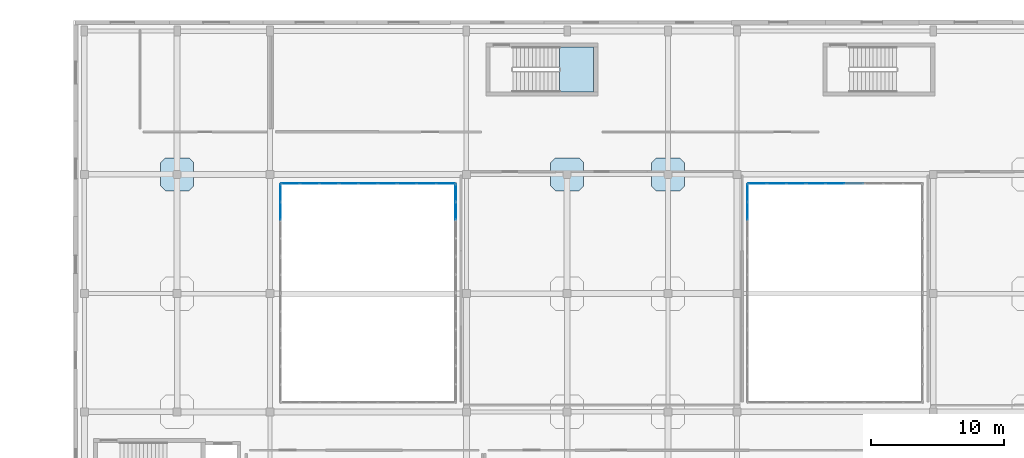
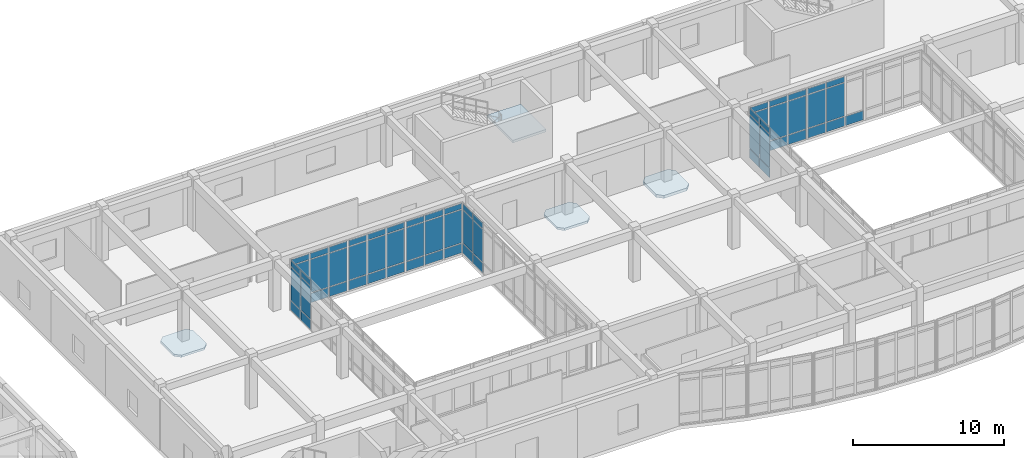
# One storey, part 114 of 142: 61 plates, 4 slabs, 9 elements without a shape of their own.
"""IFC4 building model written with IfcOpenShell, lengths in metres."""

from ifc_helpers import new_model, si_unit, direction, frame, origin, origin_2d, place, context, subcontext, project, spatial, polyline, rectangle, outline, extrude, material, layer, layer_set, type_object, element, aggregate, save


model = new_model("IFC4")

# Units and contexts
model_context = context("Model", 3, precision=1e-05, world=origin(), true_north=direction((0.0, 1.0)))
body_context = subcontext(model_context, "Body", "Model", "MODEL_VIEW")
ifc_project = project(units=[si_unit("LENGTHUNIT", "METRE"), si_unit("AREAUNIT", "SQUARE_METRE"), si_unit("VOLUMEUNIT", "CUBIC_METRE"), si_unit("PLANEANGLEUNIT", "RADIAN"), si_unit("MASSUNIT", "GRAM", prefix="KILO")], contexts=[model_context])

# Site, building, storey
site_placement = place(None, origin())
site = spatial("IfcSite", under=ifc_project, at=site_placement, CompositionType="ELEMENT")
building_placement = place(site_placement, origin())
building = spatial("IfcBuilding", under=site, at=building_placement, Name="Valcora Specialist Clinic", CompositionType="ELEMENT")
storey_placement = place(building_placement, frame((0.0, 0.0, 5.10009765625)))
storey = spatial("IfcBuildingStorey", under=building, at=storey_placement, Name="L01", CompositionType="ELEMENT", Elevation=5.10009765625)

# Curtain wall, plates
ifc_material_1 = material(Name="Anodized Bronze Aluminium 6063-T6", Category="aluminium")
ifc_layer_1 = layer(ifc_material_1, 0.175048828125)
ifc_layer_set_1 = layer_set([ifc_layer_1], Name="Anodized Bronze Aluminium 6063-T6")
curtain_wall_type = type_object("IfcCurtainWallType", Name="TY-CW-CRT15", PredefinedType="NOTDEFINED", material=ifc_layer_set_1)
curtain_wall_1_placement = place(storey_placement, origin())
curtain_wall_1 = element("IfcCurtainWall", 1, at=curtain_wall_1_placement, inside=storey, type_object=curtain_wall_type, Name="Curtain wall CW-L01-066", PredefinedType="NOTDEFINED")
ifc_material_2 = material(Name="Low-E Laminated Insulating Glass", Category="glass")
ifc_layer_2 = layer(ifc_material_2, 0.028076171875)
ifc_layer_set_2 = layer_set([ifc_layer_2], Name="Low-E Laminated Insulating Glass")
plate_type_1 = type_object("IfcPlateType", Name="TY-CWP-GLZ28", PredefinedType="CURTAIN_PANEL", material=ifc_layer_set_2)
plate_1_placement = place(storey_placement, frame((90.0, 96.4375, 0.88232421875), z_axis=(0.0, 0.0, 1.0), x_axis=(0.0, 1.0, 0.0)))
plate_1 = element("IfcPlate", 2, at=plate_1_placement, type_object=plate_type_1, Name="CW-CRT-15 panel 3.2", PredefinedType="CURTAIN_PANEL", context=body_context, shape_type="SweptSolid", body=[
    extrude(rectangle(XDim=1.31005859375, YDim=0.028076171875, at=origin_2d()), origin(), (0.0, 0.0, 1.0), 2.679931640625),
])
plate_2_placement = place(storey_placement, frame((90.0, 96.4375, 3.62744140625), z_axis=(0.0, 0.0, 1.0), x_axis=(0.0, 1.0, 0.0)))
plate_2 = element("IfcPlate", 3, at=plate_2_placement, type_object=plate_type_1, Name="CW-CRT-15 panel 3.3", PredefinedType="CURTAIN_PANEL", context=body_context, shape_type="SweptSolid", body=[
    extrude(rectangle(XDim=1.31005859375, YDim=0.028076171875, at=origin_2d()), origin(), (0.0, 0.0, 1.0), 0.452392578125),
])
plate_3_placement = place(storey_placement, frame((90.0, 97.796142578125, 0.88232421875), z_axis=(0.0, 0.0, 1.0), x_axis=(0.0, 1.0, 0.0)))
plate_3 = element("IfcPlate", 4, at=plate_3_placement, type_object=plate_type_1, Name="CW-CRT-15 panel 4.2", PredefinedType="CURTAIN_PANEL", context=body_context, shape_type="SweptSolid", body=[
    extrude(rectangle(XDim=1.277587890625, YDim=0.028076171875, at=origin_2d()), origin(), (0.0, 0.0, 1.0), 2.679931640625),
])
plate_4_placement = place(storey_placement, frame((90.0, 97.796142578125, 3.62744140625), z_axis=(0.0, 0.0, 1.0), x_axis=(0.0, 1.0, 0.0)))
plate_4 = element("IfcPlate", 5, at=plate_4_placement, type_object=plate_type_1, Name="CW-CRT-15 panel 4.3", PredefinedType="CURTAIN_PANEL", context=body_context, shape_type="SweptSolid", body=[
    extrude(rectangle(XDim=1.277587890625, YDim=0.028076171875, at=origin_2d()), origin(), (0.0, 0.0, 1.0), 0.452392578125),
])

curtain_wall_2_placement = place(storey_placement, origin())
curtain_wall_2 = element("IfcCurtainWall", 6, at=curtain_wall_2_placement, inside=storey, type_object=curtain_wall_type, Name="Curtain wall CW-L01-068", PredefinedType="NOTDEFINED")
plate_5_placement = place(storey_placement, frame((84.850341796875, 98.5, 0.88232421875), z_axis=(0.0, 0.0, 1.0), x_axis=(-1.0, 0.0, 0.0)))
plate_5 = element("IfcPlate", 7, at=plate_5_placement, type_object=plate_type_1, Name="CW-CRT-15 panel 1.2", PredefinedType="CURTAIN_PANEL", context=body_context, shape_type="SweptSolid", body=[
    extrude(rectangle(XDim=1.369140625, YDim=0.028076171875, at=origin_2d()), origin(), (0.0, 0.0, 1.0), 2.679931640625),
])
plate_6_placement = place(storey_placement, frame((84.850341796875, 98.5, 3.62744140625), z_axis=(0.0, 0.0, 1.0), x_axis=(-1.0, 0.0, 0.0)))
plate_6 = element("IfcPlate", 8, at=plate_6_placement, type_object=plate_type_1, Name="CW-CRT-15 panel 1.3", PredefinedType="CURTAIN_PANEL", context=body_context, shape_type="SweptSolid", body=[
    extrude(rectangle(XDim=1.369140625, YDim=0.028076171875, at=origin_2d()), origin(), (0.0, 0.0, 1.0), 0.452392578125),
])
plate_7_placement = place(storey_placement, frame((83.39990234375, 98.5, 0.88232421875), z_axis=(0.0, 0.0, 1.0), x_axis=(-1.0, 0.0, 0.0)))
plate_7 = element("IfcPlate", 9, at=plate_7_placement, type_object=plate_type_1, Name="CW-CRT-15 panel 2.2", PredefinedType="CURTAIN_PANEL", context=body_context, shape_type="SweptSolid", body=[
    extrude(rectangle(XDim=1.401611328125, YDim=0.028076171875, at=origin_2d()), origin(), (0.0, 0.0, 1.0), 2.679931640625),
])
plate_8_placement = place(storey_placement, frame((83.39990234375, 98.5, 3.62744140625), z_axis=(0.0, 0.0, 1.0), x_axis=(-1.0, 0.0, 0.0)))
plate_8 = element("IfcPlate", 10, at=plate_8_placement, type_object=plate_type_1, Name="CW-CRT-15 panel 2.3", PredefinedType="CURTAIN_PANEL", context=body_context, shape_type="SweptSolid", body=[
    extrude(rectangle(XDim=1.401611328125, YDim=0.028076171875, at=origin_2d()), origin(), (0.0, 0.0, 1.0), 0.452392578125),
])
plate_9_placement = place(storey_placement, frame((81.949462890625, 98.5, 0.88232421875), z_axis=(0.0, 0.0, 1.0), x_axis=(-1.0, 0.0, 0.0)))
plate_9 = element("IfcPlate", 11, at=plate_9_placement, type_object=plate_type_1, Name="CW-CRT-15 panel 3.2", PredefinedType="CURTAIN_PANEL", context=body_context, shape_type="SweptSolid", body=[
    extrude(rectangle(XDim=1.369140625, YDim=0.028076171875, at=origin_2d()), origin(), (0.0, 0.0, 1.0), 2.679931640625),
])
plate_10_placement = place(storey_placement, frame((81.949462890625, 98.5, 3.62744140625), z_axis=(0.0, 0.0, 1.0), x_axis=(-1.0, 0.0, 0.0)))
plate_10 = element("IfcPlate", 12, at=plate_10_placement, type_object=plate_type_1, Name="CW-CRT-15 panel 3.3", PredefinedType="CURTAIN_PANEL", context=body_context, shape_type="SweptSolid", body=[
    extrude(rectangle(XDim=1.369140625, YDim=0.028076171875, at=origin_2d()), origin(), (0.0, 0.0, 1.0), 0.452392578125),
])

curtain_wall_3_placement = place(storey_placement, origin())
curtain_wall_3 = element("IfcCurtainWall", 13, at=curtain_wall_3_placement, inside=storey, type_object=curtain_wall_type, Name="Curtain wall CW-L01-070", PredefinedType="NOTDEFINED")
plate_11_placement = place(storey_placement, frame((76.800048828125, 97.796142578125, 0.88232421875), z_axis=(0.0, 0.0, 1.0), x_axis=(0.0, -1.0, 0.0)))
plate_11 = element("IfcPlate", 14, at=plate_11_placement, type_object=plate_type_1, Name="CW-CRT-15 panel 1.2", PredefinedType="CURTAIN_PANEL", context=body_context, shape_type="SweptSolid", body=[
    extrude(rectangle(XDim=1.277587890625, YDim=0.028076171875, at=origin_2d()), origin(), (0.0, 0.0, 1.0), 2.679931640625),
])
plate_12_placement = place(storey_placement, frame((76.800048828125, 97.796142578125, 3.62744140625), z_axis=(0.0, 0.0, 1.0), x_axis=(0.0, -1.0, 0.0)))
plate_12 = element("IfcPlate", 15, at=plate_12_placement, type_object=plate_type_1, Name="CW-CRT-15 panel 1.3", PredefinedType="CURTAIN_PANEL", context=body_context, shape_type="SweptSolid", body=[
    extrude(rectangle(XDim=1.277587890625, YDim=0.028076171875, at=origin_2d()), origin(), (0.0, 0.0, 1.0), 0.452392578125),
])
plate_13_placement = place(storey_placement, frame((76.800048828125, 96.4375, 0.88232421875), z_axis=(0.0, 0.0, 1.0), x_axis=(0.0, -1.0, 0.0)))
plate_13 = element("IfcPlate", 16, at=plate_13_placement, type_object=plate_type_1, Name="CW-CRT-15 panel 2.2", PredefinedType="CURTAIN_PANEL", context=body_context, shape_type="SweptSolid", body=[
    extrude(rectangle(XDim=1.31005859375, YDim=0.028076171875, at=origin_2d()), origin(), (0.0, 0.0, 1.0), 2.679931640625),
])
plate_14_placement = place(storey_placement, frame((76.800048828125, 96.4375, 3.62744140625), z_axis=(0.0, 0.0, 1.0), x_axis=(0.0, -1.0, 0.0)))
plate_14 = element("IfcPlate", 17, at=plate_14_placement, type_object=plate_type_1, Name="CW-CRT-15 panel 2.3", PredefinedType="CURTAIN_PANEL", context=body_context, shape_type="SweptSolid", body=[
    extrude(rectangle(XDim=1.31005859375, YDim=0.028076171875, at=origin_2d()), origin(), (0.0, 0.0, 1.0), 0.452392578125),
])

curtain_wall_4_placement = place(storey_placement, origin())
curtain_wall_4 = element("IfcCurtainWall", 18, at=curtain_wall_4_placement, inside=storey, type_object=curtain_wall_type, Name="Curtain wall CW-L01-080", PredefinedType="NOTDEFINED")
plate_15_placement = place(storey_placement, frame((118.60009765625, 98.5, 0.88232421875), z_axis=(0.0, 0.0, 1.0), x_axis=(-1.0, 0.0, 0.0)))
plate_15 = element("IfcPlate", 19, at=plate_15_placement, type_object=plate_type_1, Name="CW-CRT-15 panel 2.2", PredefinedType="CURTAIN_PANEL", context=body_context, shape_type="SweptSolid", body=[
    extrude(rectangle(XDim=1.401611328125, YDim=0.028076171875, at=origin_2d()), origin(), (0.0, 0.0, 1.0), 2.679931640625),
])
plate_16_placement = place(storey_placement, frame((118.60009765625, 98.5, 3.62744140625), z_axis=(0.0, 0.0, 1.0), x_axis=(-1.0, 0.0, 0.0)))
plate_16 = element("IfcPlate", 20, at=plate_16_placement, type_object=plate_type_1, Name="CW-CRT-15 panel 2.3", PredefinedType="CURTAIN_PANEL", context=body_context, shape_type="SweptSolid", body=[
    extrude(rectangle(XDim=1.401611328125, YDim=0.028076171875, at=origin_2d()), origin(), (0.0, 0.0, 1.0), 0.452392578125),
])
plate_17_placement = place(storey_placement, frame((117.149658203125, 98.5, 0.88232421875), z_axis=(0.0, 0.0, 1.0), x_axis=(-1.0, 0.0, 0.0)))
plate_17 = element("IfcPlate", 21, at=plate_17_placement, type_object=plate_type_1, Name="CW-CRT-15 panel 3.2", PredefinedType="CURTAIN_PANEL", context=body_context, shape_type="SweptSolid", body=[
    extrude(rectangle(XDim=1.369140625, YDim=0.028076171875, at=origin_2d()), origin(), (0.0, 0.0, 1.0), 2.679931640625),
])
plate_18_placement = place(storey_placement, frame((117.149658203125, 98.5, 3.62744140625), z_axis=(0.0, 0.0, 1.0), x_axis=(-1.0, 0.0, 0.0)))
plate_18 = element("IfcPlate", 22, at=plate_18_placement, type_object=plate_type_1, Name="CW-CRT-15 panel 3.3", PredefinedType="CURTAIN_PANEL", context=body_context, shape_type="SweptSolid", body=[
    extrude(rectangle(XDim=1.369140625, YDim=0.028076171875, at=origin_2d()), origin(), (0.0, 0.0, 1.0), 0.452392578125),
])

curtain_wall_5_placement = place(storey_placement, origin())
curtain_wall_5 = element("IfcCurtainWall", 23, at=curtain_wall_5_placement, inside=storey, type_object=curtain_wall_type, Name="Curtain wall CW-L01-082", PredefinedType="NOTDEFINED")
plate_19_placement = place(storey_placement, frame((112.0, 97.796142578125, 0.88232421875), z_axis=(0.0, 0.0, 1.0), x_axis=(0.0, -1.0, 0.0)))
plate_19 = element("IfcPlate", 24, at=plate_19_placement, type_object=plate_type_1, Name="CW-CRT-15 panel 1.2", PredefinedType="CURTAIN_PANEL", context=body_context, shape_type="SweptSolid", body=[
    extrude(rectangle(XDim=1.277587890625, YDim=0.028076171875, at=origin_2d()), origin(), (0.0, 0.0, 1.0), 2.679931640625),
])
plate_20_placement = place(storey_placement, frame((112.0, 97.796142578125, 3.62744140625), z_axis=(0.0, 0.0, 1.0), x_axis=(0.0, -1.0, 0.0)))
plate_20 = element("IfcPlate", 25, at=plate_20_placement, type_object=plate_type_1, Name="CW-CRT-15 panel 1.3", PredefinedType="CURTAIN_PANEL", context=body_context, shape_type="SweptSolid", body=[
    extrude(rectangle(XDim=1.277587890625, YDim=0.028076171875, at=origin_2d()), origin(), (0.0, 0.0, 1.0), 0.452392578125),
])
plate_21_placement = place(storey_placement, frame((112.0, 96.4375, 0.88232421875), z_axis=(0.0, 0.0, 1.0), x_axis=(0.0, -1.0, 0.0)))
plate_21 = element("IfcPlate", 26, at=plate_21_placement, type_object=plate_type_1, Name="CW-CRT-15 panel 2.2", PredefinedType="CURTAIN_PANEL", context=body_context, shape_type="SweptSolid", body=[
    extrude(rectangle(XDim=1.31005859375, YDim=0.028076171875, at=origin_2d()), origin(), (0.0, 0.0, 1.0), 2.679931640625),
])
plate_22_placement = place(storey_placement, frame((112.0, 96.4375, 3.62744140625), z_axis=(0.0, 0.0, 1.0), x_axis=(0.0, -1.0, 0.0)))
plate_22 = element("IfcPlate", 27, at=plate_22_placement, type_object=plate_type_1, Name="CW-CRT-15 panel 2.3", PredefinedType="CURTAIN_PANEL", context=body_context, shape_type="SweptSolid", body=[
    extrude(rectangle(XDim=1.31005859375, YDim=0.028076171875, at=origin_2d()), origin(), (0.0, 0.0, 1.0), 0.452392578125),
])

curtain_wall_6_placement = place(storey_placement, origin())
curtain_wall_6 = element("IfcCurtainWall", 28, at=curtain_wall_6_placement, inside=storey, type_object=curtain_wall_type, Name="Curtain wall CW-L01-067", PredefinedType="NOTDEFINED")
ifc_layer_3 = layer(ifc_material_2, 0.033935546875)
ifc_layer_set_3 = layer_set([ifc_layer_3], Name="Low-E Laminated Insulating Glass")
plate_type_2 = type_object("IfcPlateType", Name="TY-CWP-GLZ34", PredefinedType="CURTAIN_PANEL", material=ifc_layer_set_3)
plate_23_placement = place(storey_placement, frame((89.25048828125, 98.5, 0.88232421875), z_axis=(0.0, 0.0, 1.0), x_axis=(-1.0, 0.0, 0.0)))
plate_23 = element("IfcPlate", 29, at=plate_23_placement, type_object=plate_type_2, Name="CW-CRT-15 panel 1.2", PredefinedType="CURTAIN_PANEL", context=body_context, shape_type="SweptSolid", body=[
    extrude(rectangle(XDim=1.369140625, YDim=0.033935546875, at=origin_2d()), origin(), (0.0, 0.0, 1.0), 2.679931640625),
])
plate_24_placement = place(storey_placement, frame((89.25048828125, 98.5, 3.62744140625), z_axis=(0.0, 0.0, 1.0), x_axis=(-1.0, 0.0, 0.0)))
plate_24 = element("IfcPlate", 30, at=plate_24_placement, type_object=plate_type_2, Name="CW-CRT-15 panel 1.3", PredefinedType="CURTAIN_PANEL", context=body_context, shape_type="SweptSolid", body=[
    extrude(rectangle(XDim=1.369140625, YDim=0.033935546875, at=origin_2d()), origin(), (0.0, 0.0, 1.0), 0.452392578125),
])
plate_25_placement = place(storey_placement, frame((87.800048828125, 98.5, 0.88232421875), z_axis=(0.0, 0.0, 1.0), x_axis=(-1.0, 0.0, 0.0)))
plate_25 = element("IfcPlate", 31, at=plate_25_placement, type_object=plate_type_2, Name="CW-CRT-15 panel 2.2", PredefinedType="CURTAIN_PANEL", context=body_context, shape_type="SweptSolid", body=[
    extrude(rectangle(XDim=1.401611328125, YDim=0.033935546875, at=origin_2d()), origin(), (0.0, 0.0, 1.0), 2.679931640625),
])
plate_26_placement = place(storey_placement, frame((87.800048828125, 98.5, 3.62744140625), z_axis=(0.0, 0.0, 1.0), x_axis=(-1.0, 0.0, 0.0)))
plate_26 = element("IfcPlate", 32, at=plate_26_placement, type_object=plate_type_2, Name="CW-CRT-15 panel 2.3", PredefinedType="CURTAIN_PANEL", context=body_context, shape_type="SweptSolid", body=[
    extrude(rectangle(XDim=1.401611328125, YDim=0.033935546875, at=origin_2d()), origin(), (0.0, 0.0, 1.0), 0.452392578125),
])
plate_27_placement = place(storey_placement, frame((86.349609375, 98.5, 0.88232421875), z_axis=(0.0, 0.0, 1.0), x_axis=(-1.0, 0.0, 0.0)))
plate_27 = element("IfcPlate", 33, at=plate_27_placement, type_object=plate_type_2, Name="CW-CRT-15 panel 3.2", PredefinedType="CURTAIN_PANEL", context=body_context, shape_type="SweptSolid", body=[
    extrude(rectangle(XDim=1.369140625, YDim=0.033935546875, at=origin_2d()), origin(), (0.0, 0.0, 1.0), 2.679931640625),
])
plate_28_placement = place(storey_placement, frame((86.349609375, 98.5, 3.62744140625), z_axis=(0.0, 0.0, 1.0), x_axis=(-1.0, 0.0, 0.0)))
plate_28 = element("IfcPlate", 34, at=plate_28_placement, type_object=plate_type_2, Name="CW-CRT-15 panel 3.3", PredefinedType="CURTAIN_PANEL", context=body_context, shape_type="SweptSolid", body=[
    extrude(rectangle(XDim=1.369140625, YDim=0.033935546875, at=origin_2d()), origin(), (0.0, 0.0, 1.0), 0.452392578125),
])

curtain_wall_7_placement = place(storey_placement, origin())
curtain_wall_7 = element("IfcCurtainWall", 35, at=curtain_wall_7_placement, inside=storey, type_object=curtain_wall_type, Name="Curtain wall CW-L01-069", PredefinedType="NOTDEFINED")
plate_29_placement = place(storey_placement, frame((80.450439453125, 98.5, 0.88232421875), z_axis=(0.0, 0.0, 1.0), x_axis=(-1.0, 0.0, 0.0)))
plate_29 = element("IfcPlate", 36, at=plate_29_placement, type_object=plate_type_2, Name="CW-CRT-15 panel 1.2", PredefinedType="CURTAIN_PANEL", context=body_context, shape_type="SweptSolid", body=[
    extrude(rectangle(XDim=1.369140625, YDim=0.033935546875, at=origin_2d()), origin(), (0.0, 0.0, 1.0), 2.679931640625),
])
plate_30_placement = place(storey_placement, frame((80.450439453125, 98.5, 3.62744140625), z_axis=(0.0, 0.0, 1.0), x_axis=(-1.0, 0.0, 0.0)))
plate_30 = element("IfcPlate", 37, at=plate_30_placement, type_object=plate_type_2, Name="CW-CRT-15 panel 1.3", PredefinedType="CURTAIN_PANEL", context=body_context, shape_type="SweptSolid", body=[
    extrude(rectangle(XDim=1.369140625, YDim=0.033935546875, at=origin_2d()), origin(), (0.0, 0.0, 1.0), 0.452392578125),
])
plate_31_placement = place(storey_placement, frame((79.0, 98.5, 0.88232421875), z_axis=(0.0, 0.0, 1.0), x_axis=(-1.0, 0.0, 0.0)))
plate_31 = element("IfcPlate", 38, at=plate_31_placement, type_object=plate_type_2, Name="CW-CRT-15 panel 2.2", PredefinedType="CURTAIN_PANEL", context=body_context, shape_type="SweptSolid", body=[
    extrude(rectangle(XDim=1.401611328125, YDim=0.033935546875, at=origin_2d()), origin(), (0.0, 0.0, 1.0), 2.679931640625),
])
plate_32_placement = place(storey_placement, frame((79.0, 98.5, 3.62744140625), z_axis=(0.0, 0.0, 1.0), x_axis=(-1.0, 0.0, 0.0)))
plate_32 = element("IfcPlate", 39, at=plate_32_placement, type_object=plate_type_2, Name="CW-CRT-15 panel 2.3", PredefinedType="CURTAIN_PANEL", context=body_context, shape_type="SweptSolid", body=[
    extrude(rectangle(XDim=1.401611328125, YDim=0.033935546875, at=origin_2d()), origin(), (0.0, 0.0, 1.0), 0.452392578125),
])
plate_33_placement = place(storey_placement, frame((77.549560546875, 98.5, 0.88232421875), z_axis=(0.0, 0.0, 1.0), x_axis=(-1.0, 0.0, 0.0)))
plate_33 = element("IfcPlate", 40, at=plate_33_placement, type_object=plate_type_2, Name="CW-CRT-15 panel 3.2", PredefinedType="CURTAIN_PANEL", context=body_context, shape_type="SweptSolid", body=[
    extrude(rectangle(XDim=1.369140625, YDim=0.033935546875, at=origin_2d()), origin(), (0.0, 0.0, 1.0), 2.679931640625),
])
plate_34_placement = place(storey_placement, frame((77.549560546875, 98.5, 3.62744140625), z_axis=(0.0, 0.0, 1.0), x_axis=(-1.0, 0.0, 0.0)))
plate_34 = element("IfcPlate", 41, at=plate_34_placement, type_object=plate_type_2, Name="CW-CRT-15 panel 3.3", PredefinedType="CURTAIN_PANEL", context=body_context, shape_type="SweptSolid", body=[
    extrude(rectangle(XDim=1.369140625, YDim=0.033935546875, at=origin_2d()), origin(), (0.0, 0.0, 1.0), 0.452392578125),
])

curtain_wall_8_placement = place(storey_placement, origin())
curtain_wall_8 = element("IfcCurtainWall", 42, at=curtain_wall_8_placement, inside=storey, type_object=curtain_wall_type, Name="Curtain wall CW-L01-081", PredefinedType="NOTDEFINED")
plate_35_placement = place(storey_placement, frame((115.650390625, 98.5, 0.88232421875), z_axis=(0.0, 0.0, 1.0), x_axis=(-1.0, 0.0, 0.0)))
plate_35 = element("IfcPlate", 43, at=plate_35_placement, type_object=plate_type_2, Name="CW-CRT-15 panel 1.2", PredefinedType="CURTAIN_PANEL", context=body_context, shape_type="SweptSolid", body=[
    extrude(rectangle(XDim=1.369140625, YDim=0.033935546875, at=origin_2d()), origin(), (0.0, 0.0, 1.0), 2.679931640625),
])
plate_36_placement = place(storey_placement, frame((115.650390625, 98.5, 3.62744140625), z_axis=(0.0, 0.0, 1.0), x_axis=(-1.0, 0.0, 0.0)))
plate_36 = element("IfcPlate", 44, at=plate_36_placement, type_object=plate_type_2, Name="CW-CRT-15 panel 1.3", PredefinedType="CURTAIN_PANEL", context=body_context, shape_type="SweptSolid", body=[
    extrude(rectangle(XDim=1.369140625, YDim=0.033935546875, at=origin_2d()), origin(), (0.0, 0.0, 1.0), 0.452392578125),
])
plate_37_placement = place(storey_placement, frame((114.199951171875, 98.5, 0.88232421875), z_axis=(0.0, 0.0, 1.0), x_axis=(-1.0, 0.0, 0.0)))
plate_37 = element("IfcPlate", 45, at=plate_37_placement, type_object=plate_type_2, Name="CW-CRT-15 panel 2.2", PredefinedType="CURTAIN_PANEL", context=body_context, shape_type="SweptSolid", body=[
    extrude(rectangle(XDim=1.401611328125, YDim=0.033935546875, at=origin_2d()), origin(), (0.0, 0.0, 1.0), 2.679931640625),
])
plate_38_placement = place(storey_placement, frame((114.199951171875, 98.5, 3.62744140625), z_axis=(0.0, 0.0, 1.0), x_axis=(-1.0, 0.0, 0.0)))
plate_38 = element("IfcPlate", 46, at=plate_38_placement, type_object=plate_type_2, Name="CW-CRT-15 panel 2.3", PredefinedType="CURTAIN_PANEL", context=body_context, shape_type="SweptSolid", body=[
    extrude(rectangle(XDim=1.401611328125, YDim=0.033935546875, at=origin_2d()), origin(), (0.0, 0.0, 1.0), 0.452392578125),
])
plate_39_placement = place(storey_placement, frame((112.74951171875, 98.5, 0.88232421875), z_axis=(0.0, 0.0, 1.0), x_axis=(-1.0, 0.0, 0.0)))
plate_39 = element("IfcPlate", 47, at=plate_39_placement, type_object=plate_type_2, Name="CW-CRT-15 panel 3.2", PredefinedType="CURTAIN_PANEL", context=body_context, shape_type="SweptSolid", body=[
    extrude(rectangle(XDim=1.369140625, YDim=0.033935546875, at=origin_2d()), origin(), (0.0, 0.0, 1.0), 2.679931640625),
])
plate_40_placement = place(storey_placement, frame((112.74951171875, 98.5, 3.62744140625), z_axis=(0.0, 0.0, 1.0), x_axis=(-1.0, 0.0, 0.0)))
plate_40 = element("IfcPlate", 48, at=plate_40_placement, type_object=plate_type_2, Name="CW-CRT-15 panel 3.3", PredefinedType="CURTAIN_PANEL", context=body_context, shape_type="SweptSolid", body=[
    extrude(rectangle(XDim=1.369140625, YDim=0.033935546875, at=origin_2d()), origin(), (0.0, 0.0, 1.0), 0.452392578125),
])

# Plate
ifc_material_3 = material(Name="Insulated Spandrel Panel")
ifc_layer_4 = layer(ifc_material_3, 0.044921875)
ifc_layer_set_4 = layer_set([ifc_layer_4], Name="Insulated Spandrel Panel")
plate_type_3 = type_object("IfcPlateType", Name="TY-CWP-SPN45", PredefinedType="SHEET", material=ifc_layer_set_4)
plate_41_placement = place(storey_placement, frame((90.0, 96.4375, 0.06494140625), z_axis=(0.0, 0.0, 1.0), x_axis=(0.0, 1.0, 0.0)))
plate_41 = element("IfcPlate", 49, at=plate_41_placement, type_object=plate_type_3, Name="CW-CRT-15 panel 3.1", PredefinedType="SHEET", context=body_context, shape_type="SweptSolid", body=[
    extrude(rectangle(XDim=1.31005859375, YDim=0.044921875, at=origin_2d()), origin(), (0.0, 0.0, 1.0), 0.75244140625),
])

plate_42_placement = place(storey_placement, frame((90.0, 97.796142578125, 0.06494140625), z_axis=(0.0, 0.0, 1.0), x_axis=(0.0, 1.0, 0.0)))
plate_42 = element("IfcPlate", 50, at=plate_42_placement, type_object=plate_type_3, Name="CW-CRT-15 panel 4.1", PredefinedType="SHEET", context=body_context, shape_type="SweptSolid", body=[
    extrude(rectangle(XDim=1.277587890625, YDim=0.044921875, at=origin_2d()), origin(), (0.0, 0.0, 1.0), 0.75244140625),
])

aggregate(curtain_wall_1, [plate_41, plate_1, plate_2, plate_42, plate_3, plate_4])

plate_43_placement = place(storey_placement, frame((89.25048828125, 98.5, 0.06494140625), z_axis=(0.0, 0.0, 1.0), x_axis=(-1.0, 0.0, 0.0)))
plate_43 = element("IfcPlate", 51, at=plate_43_placement, type_object=plate_type_3, Name="CW-CRT-15 panel 1.1", PredefinedType="SHEET", context=body_context, shape_type="SweptSolid", body=[
    extrude(rectangle(XDim=1.369140625, YDim=0.044921875, at=origin_2d()), origin(), (0.0, 0.0, 1.0), 0.75244140625),
])

plate_44_placement = place(storey_placement, frame((87.800048828125, 98.5, 0.06494140625), z_axis=(0.0, 0.0, 1.0), x_axis=(-1.0, 0.0, 0.0)))
plate_44 = element("IfcPlate", 52, at=plate_44_placement, type_object=plate_type_3, Name="CW-CRT-15 panel 2.1", PredefinedType="SHEET", context=body_context, shape_type="SweptSolid", body=[
    extrude(rectangle(XDim=1.401611328125, YDim=0.044921875, at=origin_2d()), origin(), (0.0, 0.0, 1.0), 0.75244140625),
])

plate_45_placement = place(storey_placement, frame((86.349609375, 98.5, 0.06494140625), z_axis=(0.0, 0.0, 1.0), x_axis=(-1.0, 0.0, 0.0)))
plate_45 = element("IfcPlate", 53, at=plate_45_placement, type_object=plate_type_3, Name="CW-CRT-15 panel 3.1", PredefinedType="SHEET", context=body_context, shape_type="SweptSolid", body=[
    extrude(rectangle(XDim=1.369140625, YDim=0.044921875, at=origin_2d()), origin(), (0.0, 0.0, 1.0), 0.75244140625),
])

aggregate(curtain_wall_6, [plate_43, plate_23, plate_24, plate_44, plate_25, plate_26, plate_45, plate_27, plate_28])

plate_46_placement = place(storey_placement, frame((84.850341796875, 98.5, 0.06494140625), z_axis=(0.0, 0.0, 1.0), x_axis=(-1.0, 0.0, 0.0)))
plate_46 = element("IfcPlate", 54, at=plate_46_placement, type_object=plate_type_3, Name="CW-CRT-15 panel 1.1", PredefinedType="SHEET", context=body_context, shape_type="SweptSolid", body=[
    extrude(rectangle(XDim=1.369140625, YDim=0.044921875, at=origin_2d()), origin(), (0.0, 0.0, 1.0), 0.75244140625),
])

plate_47_placement = place(storey_placement, frame((83.39990234375, 98.5, 0.06494140625), z_axis=(0.0, 0.0, 1.0), x_axis=(-1.0, 0.0, 0.0)))
plate_47 = element("IfcPlate", 55, at=plate_47_placement, type_object=plate_type_3, Name="CW-CRT-15 panel 2.1", PredefinedType="SHEET", context=body_context, shape_type="SweptSolid", body=[
    extrude(rectangle(XDim=1.401611328125, YDim=0.044921875, at=origin_2d()), origin(), (0.0, 0.0, 1.0), 0.75244140625),
])

plate_48_placement = place(storey_placement, frame((81.949462890625, 98.5, 0.06494140625), z_axis=(0.0, 0.0, 1.0), x_axis=(-1.0, 0.0, 0.0)))
plate_48 = element("IfcPlate", 56, at=plate_48_placement, type_object=plate_type_3, Name="CW-CRT-15 panel 3.1", PredefinedType="SHEET", context=body_context, shape_type="SweptSolid", body=[
    extrude(rectangle(XDim=1.369140625, YDim=0.044921875, at=origin_2d()), origin(), (0.0, 0.0, 1.0), 0.75244140625),
])

aggregate(curtain_wall_2, [plate_46, plate_5, plate_6, plate_47, plate_7, plate_8, plate_48, plate_9, plate_10])

plate_49_placement = place(storey_placement, frame((80.450439453125, 98.5, 0.06494140625), z_axis=(0.0, 0.0, 1.0), x_axis=(-1.0, 0.0, 0.0)))
plate_49 = element("IfcPlate", 57, at=plate_49_placement, type_object=plate_type_3, Name="CW-CRT-15 panel 1.1", PredefinedType="SHEET", context=body_context, shape_type="SweptSolid", body=[
    extrude(rectangle(XDim=1.369140625, YDim=0.044921875, at=origin_2d()), origin(), (0.0, 0.0, 1.0), 0.75244140625),
])

plate_50_placement = place(storey_placement, frame((79.0, 98.5, 0.06494140625), z_axis=(0.0, 0.0, 1.0), x_axis=(-1.0, 0.0, 0.0)))
plate_50 = element("IfcPlate", 58, at=plate_50_placement, type_object=plate_type_3, Name="CW-CRT-15 panel 2.1", PredefinedType="SHEET", context=body_context, shape_type="SweptSolid", body=[
    extrude(rectangle(XDim=1.401611328125, YDim=0.044921875, at=origin_2d()), origin(), (0.0, 0.0, 1.0), 0.75244140625),
])

plate_51_placement = place(storey_placement, frame((77.549560546875, 98.5, 0.06494140625), z_axis=(0.0, 0.0, 1.0), x_axis=(-1.0, 0.0, 0.0)))
plate_51 = element("IfcPlate", 59, at=plate_51_placement, type_object=plate_type_3, Name="CW-CRT-15 panel 3.1", PredefinedType="SHEET", context=body_context, shape_type="SweptSolid", body=[
    extrude(rectangle(XDim=1.369140625, YDim=0.044921875, at=origin_2d()), origin(), (0.0, 0.0, 1.0), 0.75244140625),
])

aggregate(curtain_wall_7, [plate_49, plate_29, plate_30, plate_50, plate_31, plate_32, plate_51, plate_33, plate_34])

plate_52_placement = place(storey_placement, frame((76.800048828125, 97.796142578125, 0.06494140625), z_axis=(0.0, 0.0, 1.0), x_axis=(0.0, -1.0, 0.0)))
plate_52 = element("IfcPlate", 60, at=plate_52_placement, type_object=plate_type_3, Name="CW-CRT-15 panel 1.1", PredefinedType="SHEET", context=body_context, shape_type="SweptSolid", body=[
    extrude(rectangle(XDim=1.277587890625, YDim=0.044921875, at=origin_2d()), origin(), (0.0, 0.0, 1.0), 0.75244140625),
])

plate_53_placement = place(storey_placement, frame((76.800048828125, 96.4375, 0.06494140625), z_axis=(0.0, 0.0, 1.0), x_axis=(0.0, -1.0, 0.0)))
plate_53 = element("IfcPlate", 61, at=plate_53_placement, type_object=plate_type_3, Name="CW-CRT-15 panel 2.1", PredefinedType="SHEET", context=body_context, shape_type="SweptSolid", body=[
    extrude(rectangle(XDim=1.31005859375, YDim=0.044921875, at=origin_2d()), origin(), (0.0, 0.0, 1.0), 0.75244140625),
])

aggregate(curtain_wall_3, [plate_52, plate_11, plate_12, plate_53, plate_13, plate_14])

plate_54_placement = place(storey_placement, frame((120.050537109375, 98.5, 0.06494140625), z_axis=(0.0, 0.0, 1.0), x_axis=(-1.0, 0.0, 0.0)))
plate_54 = element("IfcPlate", 62, at=plate_54_placement, type_object=plate_type_3, Name="CW-CRT-15 panel 1.1", PredefinedType="SHEET", context=body_context, shape_type="SweptSolid", body=[
    extrude(rectangle(XDim=1.369140625, YDim=0.044921875, at=origin_2d()), origin(), (0.0, 0.0, 1.0), 0.75244140625),
])

plate_55_placement = place(storey_placement, frame((118.60009765625, 98.5, 0.06494140625), z_axis=(0.0, 0.0, 1.0), x_axis=(-1.0, 0.0, 0.0)))
plate_55 = element("IfcPlate", 63, at=plate_55_placement, type_object=plate_type_3, Name="CW-CRT-15 panel 2.1", PredefinedType="SHEET", context=body_context, shape_type="SweptSolid", body=[
    extrude(rectangle(XDim=1.401611328125, YDim=0.044921875, at=origin_2d()), origin(), (0.0, 0.0, 1.0), 0.75244140625),
])

plate_56_placement = place(storey_placement, frame((117.149658203125, 98.5, 0.06494140625), z_axis=(0.0, 0.0, 1.0), x_axis=(-1.0, 0.0, 0.0)))
plate_56 = element("IfcPlate", 64, at=plate_56_placement, type_object=plate_type_3, Name="CW-CRT-15 panel 3.1", PredefinedType="SHEET", context=body_context, shape_type="SweptSolid", body=[
    extrude(rectangle(XDim=1.369140625, YDim=0.044921875, at=origin_2d()), origin(), (0.0, 0.0, 1.0), 0.75244140625),
])

aggregate(curtain_wall_4, [plate_54, plate_55, plate_15, plate_16, plate_56, plate_17, plate_18])

plate_57_placement = place(storey_placement, frame((115.650390625, 98.5, 0.06494140625), z_axis=(0.0, 0.0, 1.0), x_axis=(-1.0, 0.0, 0.0)))
plate_57 = element("IfcPlate", 65, at=plate_57_placement, type_object=plate_type_3, Name="CW-CRT-15 panel 1.1", PredefinedType="SHEET", context=body_context, shape_type="SweptSolid", body=[
    extrude(rectangle(XDim=1.369140625, YDim=0.044921875, at=origin_2d()), origin(), (0.0, 0.0, 1.0), 0.75244140625),
])

plate_58_placement = place(storey_placement, frame((114.199951171875, 98.5, 0.06494140625), z_axis=(0.0, 0.0, 1.0), x_axis=(-1.0, 0.0, 0.0)))
plate_58 = element("IfcPlate", 66, at=plate_58_placement, type_object=plate_type_3, Name="CW-CRT-15 panel 2.1", PredefinedType="SHEET", context=body_context, shape_type="SweptSolid", body=[
    extrude(rectangle(XDim=1.401611328125, YDim=0.044921875, at=origin_2d()), origin(), (0.0, 0.0, 1.0), 0.75244140625),
])

plate_59_placement = place(storey_placement, frame((112.74951171875, 98.5, 0.06494140625), z_axis=(0.0, 0.0, 1.0), x_axis=(-1.0, 0.0, 0.0)))
plate_59 = element("IfcPlate", 67, at=plate_59_placement, type_object=plate_type_3, Name="CW-CRT-15 panel 3.1", PredefinedType="SHEET", context=body_context, shape_type="SweptSolid", body=[
    extrude(rectangle(XDim=1.369140625, YDim=0.044921875, at=origin_2d()), origin(), (0.0, 0.0, 1.0), 0.75244140625),
])

aggregate(curtain_wall_8, [plate_57, plate_35, plate_36, plate_58, plate_37, plate_38, plate_59, plate_39, plate_40])

plate_60_placement = place(storey_placement, frame((112.0, 97.796142578125, 0.06494140625), z_axis=(0.0, 0.0, 1.0), x_axis=(0.0, -1.0, 0.0)))
plate_60 = element("IfcPlate", 68, at=plate_60_placement, type_object=plate_type_3, Name="CW-CRT-15 panel 1.1", PredefinedType="SHEET", context=body_context, shape_type="SweptSolid", body=[
    extrude(rectangle(XDim=1.277587890625, YDim=0.044921875, at=origin_2d()), origin(), (0.0, 0.0, 1.0), 0.75244140625),
])

plate_61_placement = place(storey_placement, frame((112.0, 96.4375, 0.06494140625), z_axis=(0.0, 0.0, 1.0), x_axis=(0.0, -1.0, 0.0)))
plate_61 = element("IfcPlate", 69, at=plate_61_placement, type_object=plate_type_3, Name="CW-CRT-15 panel 2.1", PredefinedType="SHEET", context=body_context, shape_type="SweptSolid", body=[
    extrude(rectangle(XDim=1.31005859375, YDim=0.044921875, at=origin_2d()), origin(), (0.0, 0.0, 1.0), 0.75244140625),
])

aggregate(curtain_wall_5, [plate_60, plate_19, plate_20, plate_61, plate_21, plate_22])

# Slabs
ifc_material_4 = material(Name="Concrete C40/50", Category="concrete")
ifc_layer_5 = layer(ifc_material_4, 0.175048828125)
ifc_layer_set_5 = layer_set([ifc_layer_5], Name="Concrete C40/50")
slab_type_1 = type_object("IfcSlabType", Name="TY-SL-DP175", PredefinedType="FLOOR", material=ifc_layer_set_5)
slab_1_placement = place(storey_placement, frame((0.0, 0.0, -0.465087890625)))
element("IfcSlab", 70, at=slab_1_placement, inside=storey, type_object=slab_type_1, Name="V4 column drop panel SL-L01-035", PredefinedType="FLOOR", context=body_context, shape_type="SweptSolid", body=[
    extrude(outline(polyline([(68.1201171875, 97.949951171875), (69.8798828125, 97.949951171875), (70.25, 98.320068359375), (70.25, 100.080078125), (69.8798828125, 100.449951171875), (68.1201171875, 100.449951171875), (67.75, 100.080078125), (67.75, 98.320068359375), (68.1201171875, 97.949951171875)])), origin(), (0.0, 0.0, 1.0), 0.175048828125),
])
ifc_layer_6 = layer(ifc_material_4, 0.18994140625)
ifc_layer_set_6 = layer_set([ifc_layer_6], Name="Concrete C40/50")
slab_type_2 = type_object("IfcSlabType", Name="TY-SL-DP190", PredefinedType="FLOOR", material=ifc_layer_set_6)
slab_2_placement = place(storey_placement, frame((0.0, 0.0, -0.47998046875)))
element("IfcSlab", 71, at=slab_2_placement, inside=storey, type_object=slab_type_2, Name="V4 column drop panel SL-L01-039", PredefinedType="FLOOR", context=body_context, shape_type="SweptSolid", body=[
    extrude(outline(polyline([(97.52001953125, 97.949951171875), (99.280029296875, 97.949951171875), (99.64990234375, 98.320068359375), (99.64990234375, 100.080078125), (99.280029296875, 100.449951171875), (97.52001953125, 100.449951171875), (97.14990234375, 100.080078125), (97.14990234375, 98.320068359375), (97.52001953125, 97.949951171875)])), origin(), (0.0, 0.0, 1.0), 0.18994140625),
])
ifc_layer_7 = layer(ifc_material_4, 0.235107421875)
ifc_layer_set_7 = layer_set([ifc_layer_7], Name="Concrete C40/50")
slab_type_3 = type_object("IfcSlabType", Name="TY-SL-DP235", PredefinedType="FLOOR", material=ifc_layer_set_7)
slab_3_placement = place(storey_placement, frame((0.0, 0.0, -0.525146484375)))
element("IfcSlab", 72, at=slab_3_placement, inside=storey, type_object=slab_type_3, Name="V4 column drop panel SL-L01-043", PredefinedType="FLOOR", context=body_context, shape_type="SweptSolid", body=[
    extrude(outline(polyline([(105.1201171875, 97.949951171875), (106.8798828125, 97.949951171875), (107.25, 98.320068359375), (107.25, 100.080078125), (106.8798828125, 100.449951171875), (105.1201171875, 100.449951171875), (104.75, 100.080078125), (104.75, 98.320068359375), (105.1201171875, 97.949951171875)])), origin(), (0.0, 0.0, 1.0), 0.235107421875),
])

# Stair, slab
stair_type = type_object("IfcStairType", Name="TY-ST-DG442", PredefinedType="HALF_TURN_STAIR", material=ifc_material_4)
stair_placement = place(storey_placement, origin())
stair = element("IfcStair", 73, at=stair_placement, inside=storey, type_object=stair_type, Name="L01 Core C-V4B stair ST-V4B", PredefinedType="HALF_TURN_STAIR")
ifc_layer_8 = layer(ifc_material_4, 0.199951171875)
ifc_layer_set_8 = layer_set([ifc_layer_8], Name="Concrete C40/50")
slab_type_4 = type_object("IfcSlabType", Name="TY-SL-LND200", PredefinedType="LANDING", material=ifc_layer_set_8)
slab_4_placement = place(storey_placement, frame((0.0, 0.0, 2.010009765625)))
slab_4 = element("IfcSlab", 74, at=slab_4_placement, type_object=slab_type_4, Name="ST-V4B landing 1", PredefinedType="LANDING", context=body_context, shape_type="SweptSolid", body=[
    extrude(outline(polyline([(97.840087890625, 105.39990234375), (100.39990234375, 105.39990234375), (100.39990234375, 108.800048828125), (97.840087890625, 108.800048828125), (97.840087890625, 105.39990234375)])), origin(), (0.0, 0.0, 1.0), 0.199951171875),
])
aggregate(stair, [slab_4])

save(model, "model.ifc")
